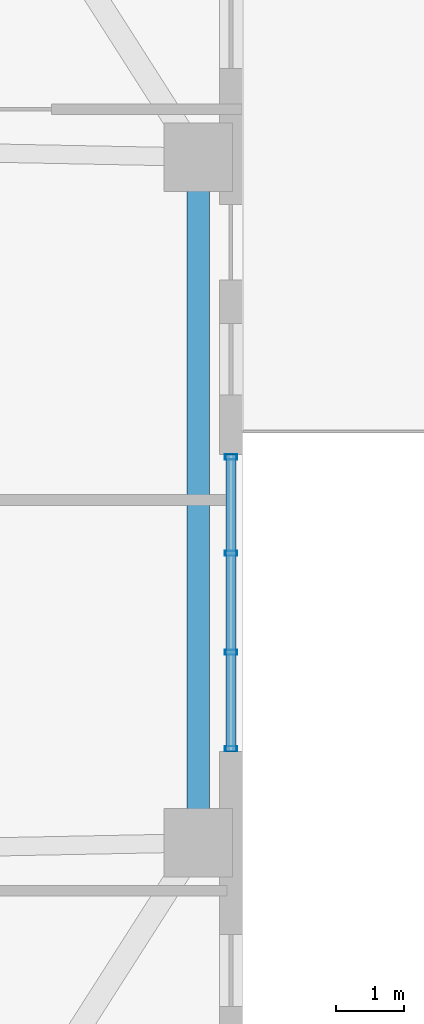
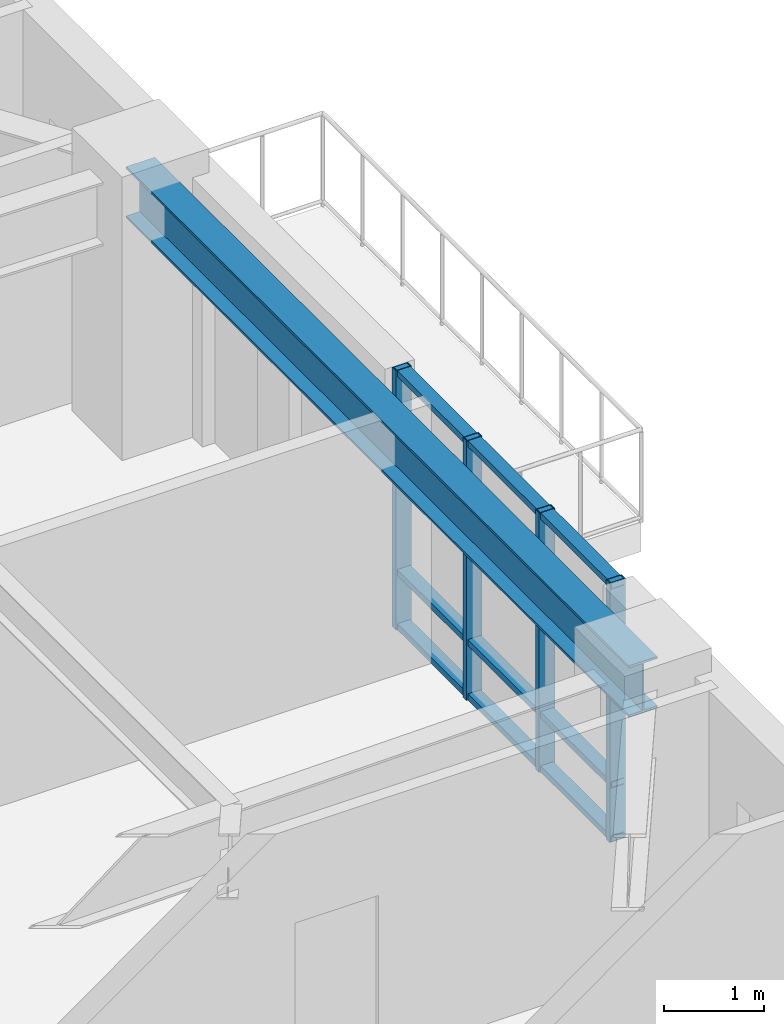
# One storey, part 2 of 9: 7 members, 1 beam, 1 element without a shape of its own.
"""IFC4 building model written with IfcOpenShell, lengths in metres."""

from ifc_helpers import new_model, si_unit, direction, frame, origin, origin_2d, place, context, subcontext, project, spatial, hollow_rectangle, i_section, extrude, material, layer, layer_set, material_profile, profile_set, type_object, element, aggregate, save


model = new_model("IFC4")

# Units and contexts
model_context = context("Model", 3, precision=1e-05, world=origin(), true_north=direction((0.0, 1.0)))
body_context = subcontext(model_context, "Body", "Model", "MODEL_VIEW")
ifc_project = project(units=[si_unit("LENGTHUNIT", "METRE"), si_unit("AREAUNIT", "SQUARE_METRE"), si_unit("VOLUMEUNIT", "CUBIC_METRE"), si_unit("PLANEANGLEUNIT", "RADIAN"), si_unit("MASSUNIT", "GRAM", prefix="KILO"), si_unit("THERMODYNAMICTEMPERATUREUNIT", "KELVIN"), si_unit("POWERUNIT", "WATT")], contexts=[model_context])

# Site, building, storey
site_placement = place(None, origin())
site = spatial("IfcSite", under=ifc_project, at=site_placement, CompositionType="ELEMENT")
building_placement = place(site_placement, origin())
building = spatial("IfcBuilding", under=site, at=building_placement, Name="Skarre Station Tower", CompositionType="ELEMENT")
storey_placement = place(building_placement, frame((0.0, 0.0, 108.449951171875)))
storey = spatial("IfcBuildingStorey", under=building, at=storey_placement, Name="L28", CompositionType="ELEMENT", Elevation=108.449951171875)

# Curtain wall, members
ifc_material_1 = material(Name="Thermally Broken Bronze-Anodized Aluminium & Triple Low-E Glass", Category="aluminium")
ifc_layer = layer(ifc_material_1, 0.18994140625, Name="Thermally Broken Bronze-Anodized Aluminium & Triple Low-E Glass")
ifc_layer_set = layer_set([ifc_layer], Name="Thermally Broken Bronze-Anodized Aluminium & Triple Low-E Glass")
curtain_wall_type = type_object("IfcCurtainWallType", Name="Sky-Garden Setback Conservatory Curtain Wall", PredefinedType="NOTDEFINED", material=ifc_layer_set)
curtain_wall_placement = place(storey_placement, origin())
curtain_wall = element("IfcCurtainWall", 1, at=curtain_wall_placement, inside=storey, type_object=curtain_wall_type, Name="L28 Facet 5 Conservatory Curtain Wall", PredefinedType="NOTDEFINED")
ifc_material_2 = material(Name="Anodized Aluminium 6063-T6", Category="aluminium")
ifc_material_profile_1 = material_profile(ifc_material_2, hollow_rectangle(XDim=0.074951171875, YDim=0.14990234375, WallThickness=0.00390625, at=origin_2d()), Name="Anodized Aluminium 6063-T6")
ifc_profile_set_1 = profile_set([ifc_material_profile_1], Name="Anodized Aluminium 6063-T6")
member_type_1 = type_object("IfcMemberType", Name="Curtain-Wall Secondary Transom 150x75", PredefinedType="USERDEFINED", material=ifc_profile_set_1)
member_1_placement = place(storey_placement, frame((57.048095703125, 24.66796875, 0.0400390625), z_axis=(0.0, -1.0, 0.0), x_axis=(0.0, 0.0, 1.0)))
member_1 = element("IfcMember", 2, at=member_1_placement, type_object=member_type_1, Name="L28 Facet 5 Conservatory Curtain Wall Transom 1", ObjectType="TRANSOM", PredefinedType="USERDEFINED", context=body_context, shape_type="SweptSolid", body=[
    extrude(hollow_rectangle(XDim=0.074951171875, YDim=0.14990234375, WallThickness=0.00390625, at=origin_2d()), origin(), (0.0, 0.0, 1.0), 4.343017578125),
])
member_2_placement = place(storey_placement, frame((57.048095703125, 24.66796875, 0.699951171875), z_axis=(0.0, -1.0, 0.0), x_axis=(0.0, 0.0, 1.0)))
member_2 = element("IfcMember", 3, at=member_2_placement, type_object=member_type_1, Name="L28 Facet 5 Conservatory Curtain Wall Transom 2", ObjectType="TRANSOM", PredefinedType="USERDEFINED", context=body_context, shape_type="SweptSolid", body=[
    extrude(hollow_rectangle(XDim=0.074951171875, YDim=0.14990234375, WallThickness=0.00390625, at=origin_2d()), origin(), (0.0, 0.0, 1.0), 4.343017578125),
])
member_3_placement = place(storey_placement, frame((57.048095703125, 24.66796875, 3.1201171875), z_axis=(0.0, -1.0, 0.0), x_axis=(0.0, 0.0, 1.0)))
member_3 = element("IfcMember", 4, at=member_3_placement, type_object=member_type_1, Name="L28 Facet 5 Conservatory Curtain Wall Transom 3", ObjectType="TRANSOM", PredefinedType="USERDEFINED", context=body_context, shape_type="SweptSolid", body=[
    extrude(hollow_rectangle(XDim=0.074951171875, YDim=0.14990234375, WallThickness=0.00390625, at=origin_2d()), origin(), (0.0, 0.0, 1.0), 4.343017578125),
])
ifc_material_profile_2 = material_profile(ifc_material_2, hollow_rectangle(XDim=0.074951171875, YDim=0.179931640625, WallThickness=0.00390625, at=origin_2d()), Name="Anodized Aluminium 6063-T6")
ifc_profile_set_2 = profile_set([ifc_material_profile_2], Name="Anodized Aluminium 6063-T6")
member_type_2 = type_object("IfcMemberType", Name="Curtain-Wall Unitised Tower Mullion 180x75", PredefinedType="MULLION", material=ifc_profile_set_2)
member_4_placement = place(storey_placement, frame((57.048095703125, 24.6279296875, 0.0), z_axis=(0.0, 0.0, 1.0), x_axis=(0.0, -1.0, 0.0)))
member_4 = element("IfcMember", 5, at=member_4_placement, type_object=member_type_2, Name="L28 Facet 5 Conservatory Curtain Wall Mullion 1", PredefinedType="MULLION", context=body_context, shape_type="SweptSolid", body=[
    extrude(hollow_rectangle(XDim=0.074951171875, YDim=0.179931640625, WallThickness=0.00390625, at=origin_2d()), origin(), (0.0, 0.0, 1.0), 3.16015625),
])
member_5_placement = place(storey_placement, frame((57.048095703125, 23.219970703125, 0.0), z_axis=(0.0, 0.0, 1.0), x_axis=(0.0, -1.0, 0.0)))
member_5 = element("IfcMember", 6, at=member_5_placement, type_object=member_type_2, Name="L28 Facet 5 Conservatory Curtain Wall Mullion 2", PredefinedType="MULLION", context=body_context, shape_type="SweptSolid", body=[
    extrude(hollow_rectangle(XDim=0.074951171875, YDim=0.179931640625, WallThickness=0.00390625, at=origin_2d()), origin(), (0.0, 0.0, 1.0), 3.16015625),
])
member_6_placement = place(storey_placement, frame((57.048095703125, 21.77294921875, 0.0), z_axis=(0.0, 0.0, 1.0), x_axis=(0.0, -1.0, 0.0)))
member_6 = element("IfcMember", 7, at=member_6_placement, type_object=member_type_2, Name="L28 Facet 5 Conservatory Curtain Wall Mullion 3", PredefinedType="MULLION", context=body_context, shape_type="SweptSolid", body=[
    extrude(hollow_rectangle(XDim=0.074951171875, YDim=0.179931640625, WallThickness=0.00390625, at=origin_2d()), origin(), (0.0, 0.0, 1.0), 3.16015625),
])
member_7_placement = place(storey_placement, frame((57.048095703125, 20.364990234375, 0.0), z_axis=(0.0, 0.0, 1.0), x_axis=(0.0, -1.0, 0.0)))
member_7 = element("IfcMember", 8, at=member_7_placement, type_object=member_type_2, Name="L28 Facet 5 Conservatory Curtain Wall Mullion 4", PredefinedType="MULLION", context=body_context, shape_type="SweptSolid", body=[
    extrude(hollow_rectangle(XDim=0.074951171875, YDim=0.179931640625, WallThickness=0.00390625, at=origin_2d()), origin(), (0.0, 0.0, 1.0), 3.16015625),
])
aggregate(curtain_wall, [member_4, member_5, member_6, member_7, member_1, member_2, member_3])

# Beam
ifc_material_3 = material(Name="Steel ASTM A992 Grade 50", Category="steel")
ifc_material_profile_3 = material_profile(ifc_material_3, i_section(OverallWidth=0.327880859375, OverallDepth=0.6279296875, WebThickness=0.01708984375, FlangeThickness=0.028076171875, at=origin_2d()), Name="Steel ASTM A992 Grade 50")
ifc_profile_set_3 = profile_set([ifc_material_profile_3], Name="Steel ASTM A992 Grade 50")
beam_type = type_object("IfcBeamType", Name="Steel Spandrel W24X146", PredefinedType="SPANDREL", material=ifc_profile_set_3)
beam_placement = place(storey_placement, frame((56.568115234375, 18.989013671875, 2.845947265625), z_axis=(0.0, 1.0, 0.0), x_axis=(-1.0, 0.0, 0.0)))
element("IfcBeam", 9, at=beam_placement, inside=storey, type_object=beam_type, Name="L28 Facet Spandrel Beam 11", PredefinedType="SPANDREL", context=body_context, shape_type="SweptSolid", body=[
    extrude(i_section(OverallWidth=0.327880859375, OverallDepth=0.6279296875, WebThickness=0.01708984375, FlangeThickness=0.028076171875, at=origin_2d()), origin(), (0.0, 0.0, 1.0), 10.02197265625),
])

save(model, "model.ifc")
